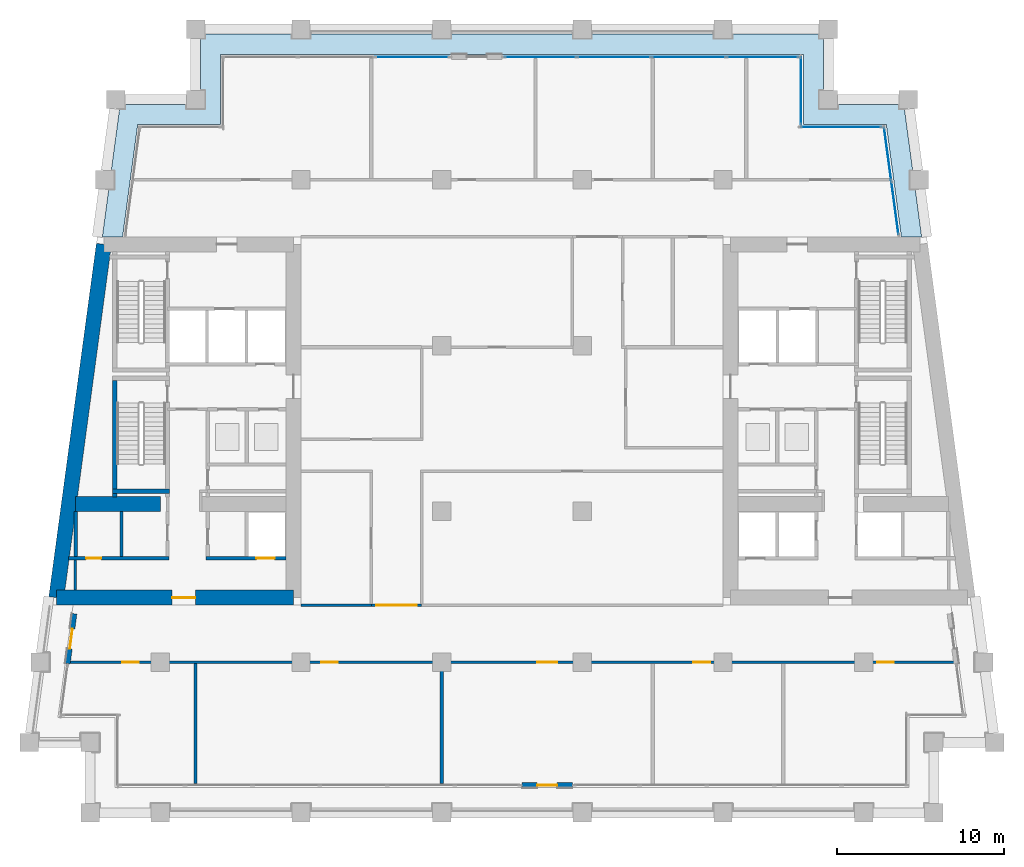
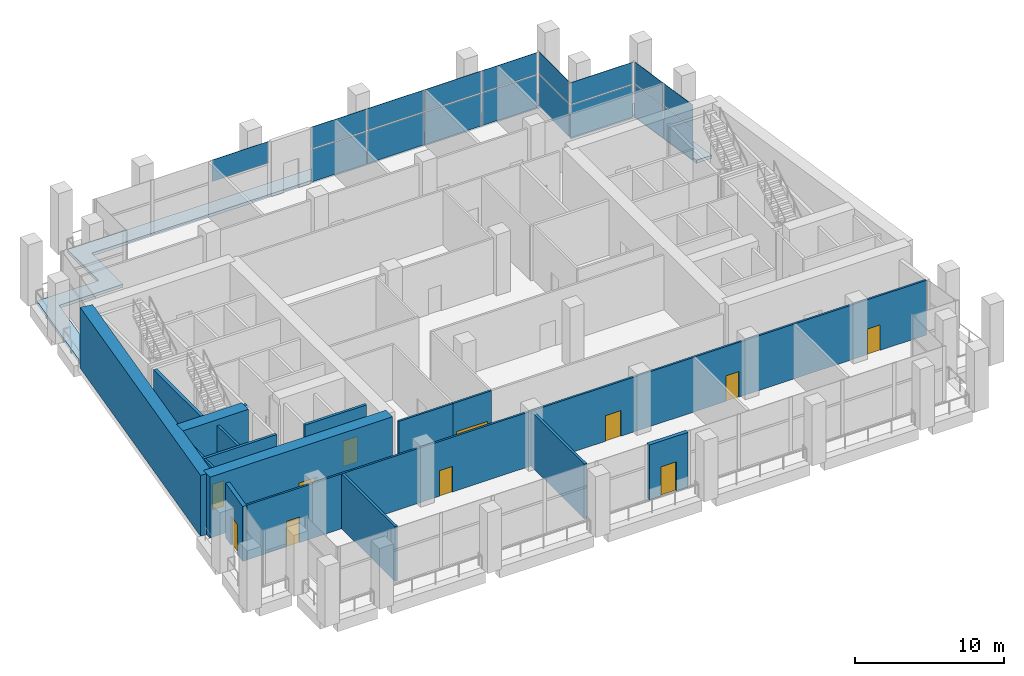
# One storey, part 7 of 16: 17 plates, 17 walls, 11 doors, 1 slab, 11 openings, 5 elements without a shape of their own.
"""IFC4 building model written with IfcOpenShell, lengths in metres."""

from ifc_helpers import new_model, si_unit, direction, frame, frame_2d, origin, origin_2d, place, context, subcontext, project, spatial, polyline, rectangle, outline, extrude, material, layer, layer_set, type_object, element, fill, aggregate, save


model = new_model("IFC4")

# Units and contexts
model_context = context("Model", 3, precision=1e-05, world=origin(), true_north=direction((0.0, 1.0)))
body_context = subcontext(model_context, "Body", "Model", "MODEL_VIEW")
ifc_project = project(units=[si_unit("LENGTHUNIT", "METRE"), si_unit("AREAUNIT", "SQUARE_METRE"), si_unit("VOLUMEUNIT", "CUBIC_METRE"), si_unit("PLANEANGLEUNIT", "RADIAN"), si_unit("MASSUNIT", "GRAM", prefix="KILO")], contexts=[model_context])

# Site, building, storey
site_placement = place(None, origin())
site = spatial("IfcSite", under=ifc_project, at=site_placement, CompositionType="ELEMENT")
building_placement = place(site_placement, origin())
building = spatial("IfcBuilding", under=site, at=building_placement, Name="Candeia Pilgrim Tower and Theatre", CompositionType="ELEMENT")
storey_placement = place(building_placement, frame((0.0, 0.0, 192.199951171875)))
storey = spatial("IfcBuildingStorey", under=building, at=storey_placement, Name="L46", CompositionType="ELEMENT", Elevation=192.199951171875)

# Curtain wall, plates
ifc_material_1 = material(Name="Aluminium framed sky lobby glazing", Category="aluminium")
curtain_wall_type = type_object("IfcCurtainWallType", Name="CW-S curtain wall", PredefinedType="NOTDEFINED", material=ifc_material_1)
curtain_wall_1_placement = place(storey_placement, origin())
curtain_wall_1 = element("IfcCurtainWall", 1, at=curtain_wall_1_placement, inside=storey, type_object=curtain_wall_type, Name="Curtain wall CW-S L46.310", PredefinedType="NOTDEFINED")
ifc_material_2 = material(Name="Laminated glass 2 x 6 mm", Category="glass")
ifc_layer_1 = layer(ifc_material_2, 0.031982421875)
ifc_layer_set_1 = layer_set([ifc_layer_1], Name="CW-S glass panel 32")
plate_type = type_object("IfcPlateType", Name="CW-S glass panel 32", PredefinedType="CURTAIN_PANEL", material=ifc_layer_set_1)
plate_1_placement = place(storey_placement, frame((136.271240234375, 134.1318359375, 0.0), z_axis=(0.0, 0.0, 1.0), x_axis=(-0.133412012145, 0.991060661622, 0.0)))
plate_1 = element("IfcPlate", 2, at=plate_1_placement, type_object=plate_type, Name="CW-S panel 1.1", PredefinedType="CURTAIN_PANEL", context=body_context, shape_type="SweptSolid", body=[
    extrude(rectangle(XDim=3.1650390625, YDim=0.031982421875, at=origin_2d()), origin(), (0.0, 0.0, 1.0), 2.659912109375),
])
plate_2_placement = place(storey_placement, frame((136.271240234375, 134.1318359375, 2.740234375), z_axis=(0.0, 0.0, 1.0), x_axis=(-0.133412012145, 0.991060661622, 0.0)))
plate_2 = element("IfcPlate", 3, at=plate_2_placement, type_object=plate_type, Name="CW-S panel 1.2", PredefinedType="CURTAIN_PANEL", context=body_context, shape_type="SweptSolid", body=[
    extrude(rectangle(XDim=3.1650390625, YDim=0.031982421875, at=origin_2d()), origin(), (0.0, 0.0, 1.0), 1.760009765625),
])
plate_3_placement = place(storey_placement, frame((135.83837890625, 137.34814453125, 0.0), z_axis=(0.0, 0.0, 1.0), x_axis=(-0.133412012145, 0.991060661622, 0.0)))
plate_3 = element("IfcPlate", 4, at=plate_3_placement, type_object=plate_type, Name="CW-S panel 2.1", PredefinedType="CURTAIN_PANEL", context=body_context, shape_type="SweptSolid", body=[
    extrude(rectangle(XDim=3.1650390625, YDim=0.031982421875, at=origin_2d()), origin(), (0.0, 0.0, 1.0), 2.659912109375),
])
plate_4_placement = place(storey_placement, frame((135.83837890625, 137.34814453125, 2.740234375), z_axis=(0.0, 0.0, 1.0), x_axis=(-0.133412012145, 0.991060661622, 0.0)))
plate_4 = element("IfcPlate", 5, at=plate_4_placement, type_object=plate_type, Name="CW-S panel 2.2", PredefinedType="CURTAIN_PANEL", context=body_context, shape_type="SweptSolid", body=[
    extrude(rectangle(XDim=3.1650390625, YDim=0.031982421875, at=origin_2d()), origin(), (0.0, 0.0, 1.0), 1.760009765625),
])
aggregate(curtain_wall_1, [plate_1, plate_2, plate_3, plate_4])

curtain_wall_2_placement = place(storey_placement, origin())
curtain_wall_2 = element("IfcCurtainWall", 6, at=curtain_wall_2_placement, inside=storey, type_object=curtain_wall_type, Name="Curtain wall CW-S L46.400", PredefinedType="NOTDEFINED")
plate_5_placement = place(storey_placement, frame((133.061279296875, 138.949951171875, 0.0), z_axis=(0.0, 0.0, 1.0), x_axis=(-1.0, 0.0, 0.0)))
plate_5 = element("IfcPlate", 7, at=plate_5_placement, type_object=plate_type, Name="CW-S panel 1.1", PredefinedType="CURTAIN_PANEL", context=body_context, shape_type="SweptSolid", body=[
    extrude(rectangle(XDim=4.792724609375, YDim=0.031982421875, at=origin_2d()), origin(), (0.0, 0.0, 1.0), 2.659912109375),
])
plate_6_placement = place(storey_placement, frame((133.061279296875, 138.949951171875, 2.740234375), z_axis=(0.0, 0.0, 1.0), x_axis=(-1.0, 0.0, 0.0)))
plate_6 = element("IfcPlate", 8, at=plate_6_placement, type_object=plate_type, Name="CW-S panel 1.2", PredefinedType="CURTAIN_PANEL", context=body_context, shape_type="SweptSolid", body=[
    extrude(rectangle(XDim=4.792724609375, YDim=0.031982421875, at=origin_2d()), origin(), (0.0, 0.0, 1.0), 1.760009765625),
])
aggregate(curtain_wall_2, [plate_5, plate_6])

curtain_wall_3_placement = place(storey_placement, origin())
curtain_wall_3 = element("IfcCurtainWall", 9, at=curtain_wall_3_placement, inside=storey, type_object=curtain_wall_type, Name="Curtain wall CW-S L46.500", PredefinedType="NOTDEFINED")
plate_7_placement = place(storey_placement, frame((130.64990234375, 141.125, 0.0), z_axis=(0.0, 0.0, 1.0), x_axis=(0.0, 1.0, 0.0)))
plate_7 = element("IfcPlate", 10, at=plate_7_placement, type_object=plate_type, Name="CW-S panel 1.1", PredefinedType="CURTAIN_PANEL", context=body_context, shape_type="SweptSolid", body=[
    extrude(rectangle(XDim=4.02001953125, YDim=0.031982421875, at=origin_2d()), origin(), (0.0, 0.0, 1.0), 2.659912109375),
])
plate_8_placement = place(storey_placement, frame((130.64990234375, 141.125, 2.740234375), z_axis=(0.0, 0.0, 1.0), x_axis=(0.0, 1.0, 0.0)))
plate_8 = element("IfcPlate", 11, at=plate_8_placement, type_object=plate_type, Name="CW-S panel 1.2", PredefinedType="CURTAIN_PANEL", context=body_context, shape_type="SweptSolid", body=[
    extrude(rectangle(XDim=4.02001953125, YDim=0.031982421875, at=origin_2d()), origin(), (0.0, 0.0, 1.0), 1.760009765625),
])
aggregate(curtain_wall_3, [plate_7, plate_8])

curtain_wall_4_placement = place(storey_placement, origin())
curtain_wall_4 = element("IfcCurtainWall", 12, at=curtain_wall_4_placement, inside=storey, type_object=curtain_wall_type, Name="Curtain wall CW-S L46.600", PredefinedType="NOTDEFINED")
plate_9_placement = place(storey_placement, frame((128.356201171875, 143.14990234375, 0.0), z_axis=(0.0, 0.0, 1.0), x_axis=(-1.0, 0.0, 0.0)))
plate_9 = element("IfcPlate", 13, at=plate_9_placement, type_object=plate_type, Name="CW-S panel 1.1", PredefinedType="CURTAIN_PANEL", context=body_context, shape_type="SweptSolid", body=[
    extrude(rectangle(XDim=4.257568359375, YDim=0.031982421875, at=origin_2d()), origin(), (0.0, 0.0, 1.0), 2.659912109375),
])
plate_10_placement = place(storey_placement, frame((128.356201171875, 143.14990234375, 2.740234375), z_axis=(0.0, 0.0, 1.0), x_axis=(-1.0, 0.0, 0.0)))
plate_10 = element("IfcPlate", 14, at=plate_10_placement, type_object=plate_type, Name="CW-S panel 1.2", PredefinedType="CURTAIN_PANEL", context=body_context, shape_type="SweptSolid", body=[
    extrude(rectangle(XDim=4.257568359375, YDim=0.031982421875, at=origin_2d()), origin(), (0.0, 0.0, 1.0), 1.760009765625),
])
plate_11_placement = place(storey_placement, frame((123.956298828125, 143.14990234375, 0.0), z_axis=(0.0, 0.0, 1.0), x_axis=(-1.0, 0.0, 0.0)))
plate_11 = element("IfcPlate", 15, at=plate_11_placement, type_object=plate_type, Name="CW-S panel 2.1", PredefinedType="CURTAIN_PANEL", context=body_context, shape_type="SweptSolid", body=[
    extrude(rectangle(XDim=4.382568359375, YDim=0.031982421875, at=origin_2d()), origin(), (0.0, 0.0, 1.0), 2.659912109375),
])
plate_12_placement = place(storey_placement, frame((123.956298828125, 143.14990234375, 2.740234375), z_axis=(0.0, 0.0, 1.0), x_axis=(-1.0, 0.0, 0.0)))
plate_12 = element("IfcPlate", 16, at=plate_12_placement, type_object=plate_type, Name="CW-S panel 2.2", PredefinedType="CURTAIN_PANEL", context=body_context, shape_type="SweptSolid", body=[
    extrude(rectangle(XDim=4.382568359375, YDim=0.031982421875, at=origin_2d()), origin(), (0.0, 0.0, 1.0), 1.760009765625),
])
plate_13_placement = place(storey_placement, frame((119.49365234375, 143.14990234375, 0.0), z_axis=(0.0, 0.0, 1.0), x_axis=(-1.0, 0.0, 0.0)))
plate_13 = element("IfcPlate", 17, at=plate_13_placement, type_object=plate_type, Name="CW-S panel 3.1", PredefinedType="CURTAIN_PANEL", context=body_context, shape_type="SweptSolid", body=[
    extrude(rectangle(XDim=4.382568359375, YDim=0.031982421875, at=origin_2d()), origin(), (0.0, 0.0, 1.0), 2.659912109375),
])
plate_14_placement = place(storey_placement, frame((119.49365234375, 143.14990234375, 2.740234375), z_axis=(0.0, 0.0, 1.0), x_axis=(-1.0, 0.0, 0.0)))
plate_14 = element("IfcPlate", 18, at=plate_14_placement, type_object=plate_type, Name="CW-S panel 3.2", PredefinedType="CURTAIN_PANEL", context=body_context, shape_type="SweptSolid", body=[
    extrude(rectangle(XDim=4.382568359375, YDim=0.031982421875, at=origin_2d()), origin(), (0.0, 0.0, 1.0), 1.760009765625),
])
plate_15_placement = place(storey_placement, frame((115.09375, 143.14990234375, 0.0), z_axis=(0.0, 0.0, 1.0), x_axis=(-1.0, 0.0, 0.0)))
plate_15 = element("IfcPlate", 19, at=plate_15_placement, type_object=plate_type, Name="CW-S panel 4.1", PredefinedType="CURTAIN_PANEL", context=body_context, shape_type="SweptSolid", body=[
    extrude(rectangle(XDim=4.257568359375, YDim=0.031982421875, at=origin_2d()), origin(), (0.0, 0.0, 1.0), 2.659912109375),
])
plate_16_placement = place(storey_placement, frame((115.09375, 143.14990234375, 2.740234375), z_axis=(0.0, 0.0, 1.0), x_axis=(-1.0, 0.0, 0.0)))
plate_16 = element("IfcPlate", 20, at=plate_16_placement, type_object=plate_type, Name="CW-S panel 4.2", PredefinedType="CURTAIN_PANEL", context=body_context, shape_type="SweptSolid", body=[
    extrude(rectangle(XDim=4.257568359375, YDim=0.031982421875, at=origin_2d()), origin(), (0.0, 0.0, 1.0), 1.760009765625),
])
aggregate(curtain_wall_4, [plate_9, plate_10, plate_11, plate_12, plate_13, plate_14, plate_15, plate_16])

# Curtain wall, plate
curtain_wall_5_placement = place(storey_placement, origin())
curtain_wall_5 = element("IfcCurtainWall", 21, at=curtain_wall_5_placement, inside=storey, type_object=curtain_wall_type, Name="Curtain wall CW-S L46.602", PredefinedType="NOTDEFINED")
plate_17_placement = place(storey_placement, frame((107.4375, 143.14990234375, 2.740234375), z_axis=(0.0, 0.0, 1.0), x_axis=(-1.0, 0.0, 0.0)))
plate_17 = element("IfcPlate", 22, at=plate_17_placement, type_object=plate_type, Name="CW-S panel 1.2", PredefinedType="CURTAIN_PANEL", context=body_context, shape_type="SweptSolid", body=[
    extrude(rectangle(XDim=4.39501953125, YDim=0.031982421875, at=origin_2d()), origin(), (0.0, 0.0, 1.0), 1.760009765625),
])
aggregate(curtain_wall_5, [plate_17])

# Slab
ifc_material_3 = material(Name="Concrete C40/50", Category="concrete")
ifc_layer_2 = layer(ifc_material_3, 0.25)
ifc_layer_set_2 = layer_set([ifc_layer_2], Name="Loggia slab 250 C40/50")
slab_type = type_object("IfcSlabType", Name="Loggia slab 250 C40/50", PredefinedType="FLOOR", material=ifc_layer_set_2)
slab_placement = place(storey_placement, frame((0.0, 0.0, -0.25)))
element("IfcSlab", 23, at=slab_placement, inside=storey, type_object=slab_type, Name="Loggia slab L46 2", PredefinedType="FLOOR", context=body_context, shape_type="SweptSolid", body=[
    extrude(outline(polyline([(136.65576171875, 132.39990234375), (135.753662109375, 139.10009765625), (130.800048828125, 139.10009765625), (130.800048828125, 143.300048828125), (96.0, 143.300048828125), (96.0, 139.10009765625), (91.046142578125, 139.10009765625), (90.144287109375, 132.39990234375), (88.93359375, 132.39990234375), (89.996826171875, 140.300048828125), (94.800048828125, 140.300048828125), (94.800048828125, 144.5), (132.0, 144.5), (132.0, 140.300048828125), (136.802978515625, 140.300048828125), (137.866455078125, 132.39990234375), (136.65576171875, 132.39990234375)])), origin(), (0.0, 0.0, 1.0), 0.25),
])

# Wall, opening, door
ifc_material_4 = material(Name="Concrete C60/75", Category="concrete")
ifc_layer_3 = layer(ifc_material_4, 0.89990234375)
ifc_layer_set_3 = layer_set([ifc_layer_3], Name="Core wall 900 C60/75")
wall_type_1 = type_object("IfcWallType", Name="Core wall 900 C60/75", PredefinedType="SHEAR", material=ifc_layer_set_3)
wall_1_placement = place(storey_placement, frame((100.35009765625, 110.85009765625, 0.0), z_axis=(0.0, 0.0, 1.0), x_axis=(-1.0, 0.0, 0.0)))
wall_1 = element("IfcWall", 24, at=wall_1_placement, inside=storey, type_object=wall_type_1, Name="Core wall W3", PredefinedType="SHEAR", context=body_context, shape_type="SweptSolid", body=[
    extrude(rectangle(XDim=14.166259765625, YDim=0.89990234375, at=frame_2d((7.0830078125, 0.0))), origin(), (0.0, 0.0, 1.0), 5.0),
])
opening_1_placement = place(wall_1_placement, frame((5.854736328125, 0.0, 0.0)))
opening_1 = element("IfcOpeningElement", 25, at=opening_1_placement, cuts=wall_1, Name="Opening L46-D032", PredefinedType="OPENING", context=body_context, shape_type="SweptSolid", body=[
    extrude(rectangle(XDim=1.39990234375, YDim=2.10009765625, at=frame_2d((0.699951171875, 1.050048828125))), frame((0.0, 0.4599609375, 0.0), z_axis=(0.0, -1.0, 0.0), x_axis=(1.0, 0.0, 0.0)), (0.0, 0.0, 1.0), 0.919921875),
])
ifc_material_5 = material(Name="Steel fire door set", Category="steel")
door_type_1 = type_object("IfcDoorType", Name="D-1400-FD60", OperationType="NOTDEFINED", PredefinedType="DOOR", material=ifc_material_5)
door_1_placement = place(opening_1_placement, origin())
door_1 = element("IfcDoor", 26, at=door_1_placement, inside=storey, type_object=door_type_1, Name="Door L46-D032", OperationType="SINGLE_SWING_RIGHT", OverallHeight=2.10009765625, OverallWidth=1.39990234375, PredefinedType="DOOR", context=body_context, shape_type="SweptSolid", body=[
    extrude(rectangle(XDim=1.39990234375, YDim=2.10009765625, at=frame_2d((0.699951171875, 1.050048828125))), frame((0.0, 0.02490234375, 0.0), z_axis=(0.0, -1.0, 0.0), x_axis=(1.0, 0.0, 0.0)), (0.0, 0.0, 1.0), 0.050048828125),
])
fill(opening_1, door_1)

# Walls
wall_2_placement = place(storey_placement, frame((86.183837890625, 110.85009765625, 0.0), z_axis=(0.0, 0.0, 1.0), x_axis=(0.133410495943, 0.991060865725, 0.0)))
element("IfcWall", 27, at=wall_2_placement, inside=storey, type_object=wall_type_1, Name="Core wall W4", PredefinedType="SHEAR", context=body_context, shape_type="SweptSolid", body=[
    extrude(rectangle(XDim=21.290283203125, YDim=0.89990234375, at=frame_2d((10.64501953125, 0.0))), origin(), (0.0, 0.0, 1.0), 5.0),
])
wall_3_placement = place(storey_placement, frame((87.322998046875, 116.449951171875, 0.0), z_axis=(0.0, 0.0, 1.0), x_axis=(1.0, 0.0, 0.0)))
element("IfcWall", 28, at=wall_3_placement, inside=storey, type_object=wall_type_1, Name="Core wall W5", PredefinedType="SHEAR", context=body_context, shape_type="SweptSolid", body=[
    extrude(rectangle(XDim=5.076904296875, YDim=0.89990234375, at=frame_2d((2.53857421875, 0.0))), origin(), (0.0, 0.0, 1.0), 5.0),
])

# Wall, opening, door
ifc_material_6 = material(Name="Ceramic block masonry", Category="masonry")
ifc_layer_4 = layer(ifc_material_6, 0.300048828125)
ifc_layer_set_4 = layer_set([ifc_layer_4], Name="EW2 entrance infill wall 300")
wall_type_2 = type_object("IfcWallType", Name="EW2 entrance infill wall 300", PredefinedType="SOLIDWALL", material=ifc_layer_set_4)
wall_4_placement = place(storey_placement, frame((114.0, 99.64990234375, 0.0), z_axis=(0.0, 0.0, 1.0), x_axis=(1.0, 0.0, 0.0)))
wall_4 = element("IfcWall", 29, at=wall_4_placement, inside=storey, type_object=wall_type_2, Name="Infill wall L46", PredefinedType="SOLIDWALL", context=body_context, shape_type="SweptSolid", body=[
    extrude(rectangle(XDim=3.0, YDim=0.300048828125, at=frame_2d((1.5, 0.0))), origin(), (0.0, 0.0, 1.0), 4.5),
])
opening_2_placement = place(wall_4_placement, frame((0.89990234375, 0.0, 0.0)))
opening_2 = element("IfcOpeningElement", 30, at=opening_2_placement, cuts=wall_4, Name="Opening L46-ED440", PredefinedType="OPENING", context=body_context, shape_type="SweptSolid", body=[
    extrude(rectangle(XDim=1.199951171875, YDim=2.39990234375, at=frame_2d((0.60009765625, 1.199951171875))), frame((0.0, 0.16015625, 0.0), z_axis=(0.0, -1.0, 0.0), x_axis=(1.0, 0.0, 0.0)), (0.0, 0.0, 1.0), 0.320068359375),
])
ifc_material_7 = material(Name="Aluminium framed glazed door", Category="aluminium")
door_type_2 = type_object("IfcDoorType", Name="Loggia door 1200x2400", OperationType="DOUBLE_DOOR_SINGLE_SWING", PredefinedType="DOOR", material=ifc_material_7)
door_2_placement = place(opening_2_placement, origin())
door_2 = element("IfcDoor", 31, at=door_2_placement, inside=storey, type_object=door_type_2, Name="Loggia door L46-ED440", OperationType="DOUBLE_DOOR_SINGLE_SWING", OverallHeight=2.39990234375, OverallWidth=1.199951171875, PredefinedType="DOOR", context=body_context, shape_type="SweptSolid", body=[
    extrude(rectangle(XDim=1.199951171875, YDim=2.39990234375, at=frame_2d((0.60009765625, 1.199951171875))), frame((0.0, 0.02490234375, 0.0), z_axis=(0.0, -1.0, 0.0), x_axis=(1.0, 0.0, 0.0)), (0.0, 0.0, 1.0), 0.050048828125),
])
fill(opening_2, door_2)

wall_5_placement = place(storey_placement, frame((87.264892578125, 109.886474609375, 0.0), z_axis=(0.0, 0.0, 1.0), x_axis=(-0.133384342957, -0.991064385927, 0.0)))
wall_5 = element("IfcWall", 32, at=wall_5_placement, inside=storey, type_object=wall_type_2, Name="Infill wall L46", PredefinedType="SOLIDWALL", context=body_context, shape_type="SweptSolid", body=[
    extrude(rectangle(XDim=3.0, YDim=0.300048828125, at=frame_2d((1.5, 0.0))), origin(), (0.0, 0.0, 1.0), 4.5),
])
opening_3_placement = place(wall_5_placement, frame((0.89990234375, 0.0, 0.0)))
opening_3 = element("IfcOpeningElement", 33, at=opening_3_placement, cuts=wall_5, Name="Opening L46-ED443", PredefinedType="OPENING", context=body_context, shape_type="SweptSolid", body=[
    extrude(rectangle(XDim=1.199951171875, YDim=2.39990234375, at=frame_2d((0.60009765625, 1.199951171875))), frame((0.0, 0.16015625, 0.0), z_axis=(0.0, -1.0, 0.0), x_axis=(1.0, 0.0, 0.0)), (0.0, 0.0, 1.0), 0.320068359375),
])
door_3_placement = place(opening_3_placement, origin())
door_3 = element("IfcDoor", 34, at=door_3_placement, inside=storey, type_object=door_type_2, Name="Loggia door L46-ED443", OperationType="DOUBLE_DOOR_SINGLE_SWING", OverallHeight=2.39990234375, OverallWidth=1.199951171875, PredefinedType="DOOR", context=body_context, shape_type="SweptSolid", body=[
    extrude(rectangle(XDim=1.199951171875, YDim=2.39990234375, at=frame_2d((0.60009765625, 1.199951171875))), frame((0.0, 0.02490234375, 0.0), z_axis=(0.0, -1.0, 0.0), x_axis=(1.0, 0.0, 0.0)), (0.0, 0.0, 1.0), 0.050048828125),
])
fill(opening_3, door_3)

ifc_material_8 = material(Name="Gypsum board partition on steel studs", Category="steel")
ifc_layer_5 = layer(ifc_material_8, 0.14990234375)
ifc_layer_set_5 = layer_set([ifc_layer_5], Name="PW-150 lobby wall")
wall_type_3 = type_object("IfcWallType", Name="PW-150 lobby wall", PredefinedType="PARTITIONING", material=ifc_layer_set_5)
wall_6_placement = place(storey_placement, frame((105.0, 110.39990234375, 0.0), z_axis=(0.0, 0.0, 1.0), x_axis=(1.0, 0.0, 0.0)))
wall_6 = element("IfcWall", 35, at=wall_6_placement, inside=storey, type_object=wall_type_3, Name="Lobby wall L46-002", PredefinedType="PARTITIONING", context=body_context, shape_type="SweptSolid", body=[
    extrude(rectangle(XDim=3.0, YDim=0.14990234375, at=frame_2d((1.5, 0.0))), origin(), (0.0, 0.0, 1.0), 4.5),
])
opening_4_placement = place(wall_6_placement, frame((0.300048828125, 0.0, 0.0)))
opening_4 = element("IfcOpeningElement", 36, at=opening_4_placement, cuts=wall_6, Name="Opening L46-D003", PredefinedType="OPENING", context=body_context, shape_type="SweptSolid", body=[
    extrude(rectangle(XDim=2.39990234375, YDim=2.10009765625, at=frame_2d((1.199951171875, 1.050048828125))), frame((0.0, 0.0849609375, 0.0), z_axis=(0.0, -1.0, 0.0), x_axis=(1.0, 0.0, 0.0)), (0.0, 0.0, 1.0), 0.169921875),
])
door_type_3 = type_object("IfcDoorType", Name="D-2400-FD30S", OperationType="NOTDEFINED", PredefinedType="DOOR", material=ifc_material_5)
door_4_placement = place(opening_4_placement, origin())
door_4 = element("IfcDoor", 37, at=door_4_placement, inside=storey, type_object=door_type_3, Name="Door L46-D003", OperationType="SINGLE_SWING_LEFT", OverallHeight=2.10009765625, OverallWidth=2.39990234375, PredefinedType="DOOR", context=body_context, shape_type="SweptSolid", body=[
    extrude(rectangle(XDim=2.39990234375, YDim=2.10009765625, at=frame_2d((1.199951171875, 1.050048828125))), frame((0.0, 0.02490234375, 0.0), z_axis=(0.0, -1.0, 0.0), x_axis=(1.0, 0.0, 0.0)), (0.0, 0.0, 1.0), 0.050048828125),
])
fill(opening_4, door_4)

# Wall
wall_7_placement = place(storey_placement, frame((87.327880859375, 111.300048828125, 0.0), z_axis=(0.0, 0.0, 1.0), x_axis=(0.0, 1.0, 0.0)))
element("IfcWall", 38, at=wall_7_placement, inside=storey, type_object=wall_type_3, Name="Lobby wall L46-046", PredefinedType="PARTITIONING", context=body_context, shape_type="SweptSolid", body=[
    extrude(rectangle(XDim=1.800048828125, YDim=0.14990234375, at=frame_2d((0.89990234375, 0.0))), origin(), (0.0, 0.0, 1.0), 4.5),
])

# Wall, openings, doors
ifc_layer_6 = layer(ifc_material_8, 0.14990234375)
ifc_layer_set_6 = layer_set([ifc_layer_6], Name="PW-150 unit wall")
wall_type_4 = type_object("IfcWallType", Name="PW-150 unit wall", PredefinedType="PARTITIONING", material=ifc_layer_set_6)
wall_8_placement = place(storey_placement, frame((86.9873046875, 107.0, 0.0), z_axis=(0.0, 0.0, 1.0), x_axis=(1.0, 0.0, 0.0)))
wall_8 = element("IfcWall", 39, at=wall_8_placement, inside=storey, type_object=wall_type_4, Name="Unit wall L46-001", PredefinedType="PARTITIONING", context=body_context, shape_type="SweptSolid", body=[
    extrude(rectangle(XDim=52.8251953125, YDim=0.14990234375, at=frame_2d((26.41259765625, 0.0))), origin(), (0.0, 0.0, 1.0), 4.5),
])
opening_5_placement = place(wall_8_placement, frame((3.12548828125, 0.0, 0.0)))
opening_5 = element("IfcOpeningElement", 40, at=opening_5_placement, cuts=wall_8, Name="Opening L46-D010", PredefinedType="OPENING", context=body_context, shape_type="SweptSolid", body=[
    extrude(rectangle(XDim=1.0, YDim=2.10009765625, at=frame_2d((0.5, 1.050048828125))), frame((0.0, 0.0849609375, 0.0), z_axis=(0.0, -1.0, 0.0), x_axis=(1.0, 0.0, 0.0)), (0.0, 0.0, 1.0), 0.169921875),
])
opening_6_placement = place(wall_8_placement, frame((15.0126953125, 0.0, 0.0)))
opening_6 = element("IfcOpeningElement", 41, at=opening_6_placement, cuts=wall_8, Name="Opening L46-D011", PredefinedType="OPENING", context=body_context, shape_type="SweptSolid", body=[
    extrude(rectangle(XDim=1.0, YDim=2.10009765625, at=frame_2d((0.5, 1.050048828125))), frame((0.0, 0.0849609375, 0.0), z_axis=(0.0, -1.0, 0.0), x_axis=(1.0, 0.0, 0.0)), (0.0, 0.0, 1.0), 0.169921875),
])
opening_7_placement = place(wall_8_placement, frame((27.91259765625, 0.0, 0.0)))
opening_7 = element("IfcOpeningElement", 42, at=opening_7_placement, cuts=wall_8, Name="Opening L46-D012", PredefinedType="OPENING", context=body_context, shape_type="SweptSolid", body=[
    extrude(rectangle(XDim=1.199951171875, YDim=2.10009765625, at=frame_2d((0.60009765625, 1.050048828125))), frame((0.0, 0.0849609375, 0.0), z_axis=(0.0, -1.0, 0.0), x_axis=(1.0, 0.0, 0.0)), (0.0, 0.0, 1.0), 0.169921875),
])
opening_8_placement = place(wall_8_placement, frame((37.24755859375, 0.0, 0.0)))
opening_8 = element("IfcOpeningElement", 43, at=opening_8_placement, cuts=wall_8, Name="Opening L46-D013", PredefinedType="OPENING", context=body_context, shape_type="SweptSolid", body=[
    extrude(rectangle(XDim=1.0, YDim=2.10009765625, at=frame_2d((0.5, 1.050048828125))), frame((0.0, 0.0849609375, 0.0), z_axis=(0.0, -1.0, 0.0), x_axis=(1.0, 0.0, 0.0)), (0.0, 0.0, 1.0), 0.169921875),
])
opening_9_placement = place(wall_8_placement, frame((48.2275390625, 0.0, 0.0)))
opening_9 = element("IfcOpeningElement", 44, at=opening_9_placement, cuts=wall_8, Name="Opening L46-D014", PredefinedType="OPENING", context=body_context, shape_type="SweptSolid", body=[
    extrude(rectangle(XDim=1.0, YDim=2.10009765625, at=frame_2d((0.5, 1.050048828125))), frame((0.0, 0.0849609375, 0.0), z_axis=(0.0, -1.0, 0.0), x_axis=(1.0, 0.0, 0.0)), (0.0, 0.0, 1.0), 0.169921875),
])
door_type_4 = type_object("IfcDoorType", Name="D-1000-FD30S", OperationType="NOTDEFINED", PredefinedType="DOOR", material=ifc_material_5)
door_5_placement = place(opening_5_placement, origin())
door_5 = element("IfcDoor", 45, at=door_5_placement, inside=storey, type_object=door_type_4, Name="Door L46-D010", OperationType="SINGLE_SWING_RIGHT", OverallHeight=2.10009765625, OverallWidth=1.0, PredefinedType="DOOR", context=body_context, shape_type="SweptSolid", body=[
    extrude(rectangle(XDim=1.0, YDim=2.10009765625, at=frame_2d((0.5, 1.050048828125))), frame((0.0, 0.02490234375, 0.0), z_axis=(0.0, -1.0, 0.0), x_axis=(1.0, 0.0, 0.0)), (0.0, 0.0, 1.0), 0.050048828125),
])
fill(opening_5, door_5)
door_6_placement = place(opening_6_placement, origin())
door_6 = element("IfcDoor", 46, at=door_6_placement, inside=storey, type_object=door_type_4, Name="Door L46-D011", OperationType="SINGLE_SWING_LEFT", OverallHeight=2.10009765625, OverallWidth=1.0, PredefinedType="DOOR", context=body_context, shape_type="SweptSolid", body=[
    extrude(rectangle(XDim=1.0, YDim=2.10009765625, at=frame_2d((0.5, 1.050048828125))), frame((0.0, 0.02490234375, 0.0), z_axis=(0.0, -1.0, 0.0), x_axis=(1.0, 0.0, 0.0)), (0.0, 0.0, 1.0), 0.050048828125),
])
fill(opening_6, door_6)
door_7_placement = place(opening_8_placement, origin())
door_7 = element("IfcDoor", 47, at=door_7_placement, inside=storey, type_object=door_type_4, Name="Door L46-D013", OperationType="SINGLE_SWING_LEFT", OverallHeight=2.10009765625, OverallWidth=1.0, PredefinedType="DOOR", context=body_context, shape_type="SweptSolid", body=[
    extrude(rectangle(XDim=1.0, YDim=2.10009765625, at=frame_2d((0.5, 1.050048828125))), frame((0.0, 0.02490234375, 0.0), z_axis=(0.0, -1.0, 0.0), x_axis=(1.0, 0.0, 0.0)), (0.0, 0.0, 1.0), 0.050048828125),
])
fill(opening_8, door_7)
door_8_placement = place(opening_9_placement, origin())
door_8 = element("IfcDoor", 48, at=door_8_placement, inside=storey, type_object=door_type_4, Name="Door L46-D014", OperationType="SINGLE_SWING_RIGHT", OverallHeight=2.10009765625, OverallWidth=1.0, PredefinedType="DOOR", context=body_context, shape_type="SweptSolid", body=[
    extrude(rectangle(XDim=1.0, YDim=2.10009765625, at=frame_2d((0.5, 1.050048828125))), frame((0.0, 0.02490234375, 0.0), z_axis=(0.0, -1.0, 0.0), x_axis=(1.0, 0.0, 0.0)), (0.0, 0.0, 1.0), 0.050048828125),
])
fill(opening_9, door_8)
door_type_5 = type_object("IfcDoorType", Name="D-1200-FD30S", OperationType="NOTDEFINED", PredefinedType="DOOR", material=ifc_material_5)
door_9_placement = place(opening_7_placement, origin())
door_9 = element("IfcDoor", 49, at=door_9_placement, inside=storey, type_object=door_type_5, Name="Door L46-D012", OperationType="SINGLE_SWING_RIGHT", OverallHeight=2.10009765625, OverallWidth=1.199951171875, PredefinedType="DOOR", context=body_context, shape_type="SweptSolid", body=[
    extrude(rectangle(XDim=1.199951171875, YDim=2.10009765625, at=frame_2d((0.60009765625, 1.050048828125))), frame((0.0, 0.02490234375, 0.0), z_axis=(0.0, -1.0, 0.0), x_axis=(1.0, 0.0, 0.0)), (0.0, 0.0, 1.0), 0.050048828125),
])
fill(opening_7, door_9)

# Walls
wall_9_placement = place(storey_placement, frame((100.800048828125, 110.39990234375, 0.0), z_axis=(0.0, 0.0, 1.0), x_axis=(1.0, 0.0, 0.0)))
element("IfcWall", 50, at=wall_9_placement, inside=storey, type_object=wall_type_4, Name="Unit wall L46-003", PredefinedType="PARTITIONING", context=body_context, shape_type="SweptSolid", body=[
    extrude(rectangle(XDim=4.199951171875, YDim=0.14990234375, at=frame_2d((2.10009765625, 0.0))), origin(), (0.0, 0.0, 1.0), 4.5),
])
ifc_layer_7 = layer(ifc_material_8, 0.199951171875)
ifc_layer_set_7 = layer_set([ifc_layer_7], Name="PW-200 party wall")
wall_type_5 = type_object("IfcWallType", Name="PW-200 party wall", PredefinedType="PARTITIONING", material=ifc_layer_set_7)
for number, where, z_axis, x_axis, name in (
    (51, (94.5, 99.760009765625, 0.0), (0.0, 0.0, 1.0), (0.0, 1.0, 0.0), "Party wall L46-055"),
    (52, (109.199951171875, 99.760009765625, 0.0), (0.0, 0.0, 1.0), (0.0, 1.0, 0.0), "Party wall L46-067"),
):
    element("IfcWall", number, at=place(storey_placement, frame(where, z_axis=z_axis, x_axis=x_axis)), inside=storey, type_object=wall_type_5, Name=name, PredefinedType="PARTITIONING", context=body_context, shape_type="SweptSolid", body=[
        extrude(rectangle(XDim=7.1650390625, YDim=0.199951171875, at=frame_2d((3.58251953125, 0.0))), origin(), (0.0, 0.0, 1.0), 4.5),
    ])

# Wall, opening, door
ifc_layer_8 = layer(ifc_material_3, 0.199951171875)
ifc_layer_set_8 = layer_set([ifc_layer_8], Name="SW-200 shaft wall")
wall_type_6 = type_object("IfcWallType", Name="SW-200 shaft wall", PredefinedType="PARTITIONING", material=ifc_layer_set_8)
wall_10_placement = place(storey_placement, frame((86.92431640625, 113.199951171875, 0.0), z_axis=(0.0, 0.0, 1.0), x_axis=(1.0, 0.0, 0.0)))
wall_10 = element("IfcWall", 53, at=wall_10_placement, inside=storey, type_object=wall_type_6, Name="Shaft wall L46-005", PredefinedType="PARTITIONING", context=body_context, shape_type="SweptSolid", body=[
    extrude(rectangle(XDim=6.002685546875, YDim=0.199951171875, at=frame_2d((3.00146484375, 0.0))), origin(), (0.0, 0.0, 1.0), 4.5),
])
opening_10_placement = place(wall_10_placement, frame((1.040771484375, 0.0, 0.0)))
opening_10 = element("IfcOpeningElement", 54, at=opening_10_placement, cuts=wall_10, Name="Opening L46-D024", PredefinedType="OPENING", context=body_context, shape_type="SweptSolid", body=[
    extrude(rectangle(XDim=0.89990234375, YDim=2.10009765625, at=frame_2d((0.449951171875, 1.050048828125))), frame((0.0, 0.10986328125, 0.0), z_axis=(0.0, -1.0, 0.0), x_axis=(1.0, 0.0, 0.0)), (0.0, 0.0, 1.0), 0.219970703125),
])
door_type_6 = type_object("IfcDoorType", Name="D-900-FD60", OperationType="NOTDEFINED", PredefinedType="DOOR", material=ifc_material_5)
door_10_placement = place(opening_10_placement, origin())
door_10 = element("IfcDoor", 55, at=door_10_placement, inside=storey, type_object=door_type_6, Name="Door L46-D024", OperationType="SINGLE_SWING_LEFT", OverallHeight=2.10009765625, OverallWidth=0.89990234375, PredefinedType="DOOR", context=body_context, shape_type="SweptSolid", body=[
    extrude(rectangle(XDim=0.89990234375, YDim=2.10009765625, at=frame_2d((0.449951171875, 1.050048828125))), frame((0.0, 0.02490234375, 0.0), z_axis=(0.0, -1.0, 0.0), x_axis=(1.0, 0.0, 0.0)), (0.0, 0.0, 1.0), 0.050048828125),
])
fill(opening_10, door_10)

wall_11_placement = place(storey_placement, frame((95.126953125, 113.199951171875, 0.0), z_axis=(0.0, 0.0, 1.0), x_axis=(1.0, 0.0, 0.0)))
wall_11 = element("IfcWall", 56, at=wall_11_placement, inside=storey, type_object=wall_type_6, Name="Shaft wall L46-006", PredefinedType="PARTITIONING", context=body_context, shape_type="SweptSolid", body=[
    extrude(rectangle(XDim=4.77294921875, YDim=0.199951171875, at=frame_2d((2.386474609375, 0.0))), origin(), (0.0, 0.0, 1.0), 4.5),
])
opening_11_placement = place(wall_11_placement, frame((3.0009765625, 0.0, 0.0)))
opening_11 = element("IfcOpeningElement", 57, at=opening_11_placement, cuts=wall_11, Name="Opening L46-LD05", PredefinedType="OPENING", context=body_context, shape_type="SweptSolid", body=[
    extrude(rectangle(XDim=1.10009765625, YDim=2.10009765625, at=frame_2d((0.550048828125, 1.050048828125))), frame((0.0, 0.10986328125, 0.0), z_axis=(0.0, -1.0, 0.0), x_axis=(1.0, 0.0, 0.0)), (0.0, 0.0, 1.0), 0.219970703125),
])
ifc_material_9 = material(Name="Glazed aluminium landing door", Category="aluminium")
door_type_7 = type_object("IfcDoorType", Name="LD-1100-EI120", OperationType="SLIDING_TO_LEFT", PredefinedType="DOOR", material=ifc_material_9)
door_11_placement = place(opening_11_placement, origin())
door_11 = element("IfcDoor", 58, at=door_11_placement, inside=storey, type_object=door_type_7, Name="Landing door 05 L46", OperationType="SLIDING_TO_LEFT", OverallHeight=2.10009765625, OverallWidth=1.10009765625, PredefinedType="DOOR", context=body_context, shape_type="SweptSolid", body=[
    extrude(rectangle(XDim=1.10009765625, YDim=2.10009765625, at=frame_2d((0.550048828125, 1.050048828125))), frame((0.0, 0.02490234375, 0.0), z_axis=(0.0, -1.0, 0.0), x_axis=(1.0, 0.0, 0.0)), (0.0, 0.0, 1.0), 0.050048828125),
])
fill(opening_11, door_11)

# Walls
for number, where, z_axis, x_axis, name in (
    (59, (87.350341796875, 113.300048828125, 0.0), (0.0, 0.0, 1.0), (0.0, 1.0, 0.0), "Shaft wall L46-045"),
    (60, (90.077392578125, 113.300048828125, 0.0), (0.0, 0.0, 1.0), (0.0, 1.0, 0.0), "Shaft wall L46-049"),
):
    element("IfcWall", number, at=place(storey_placement, frame(where, z_axis=z_axis, x_axis=x_axis)), inside=storey, type_object=wall_type_6, Name=name, PredefinedType="PARTITIONING", context=body_context, shape_type="SweptSolid", body=[
        extrude(rectangle(XDim=2.699951171875, YDim=0.199951171875, at=frame_2d((1.35009765625, 0.0))), origin(), (0.0, 0.0, 1.0), 4.5),
    ])
ifc_layer_9 = layer(ifc_material_3, 0.25)
ifc_layer_set_9 = layer_set([ifc_layer_9], Name="SW-250 stair wall")
wall_type_7 = type_object("IfcWallType", Name="SW-250 stair wall", PredefinedType="PARTITIONING", material=ifc_layer_set_9)
wall_12_placement = place(storey_placement, frame((89.552001953125, 117.199951171875, 0.0), z_axis=(0.0, 0.0, 1.0), x_axis=(1.0, 0.0, 0.0)))
element("IfcWall", 61, at=wall_12_placement, inside=storey, type_object=wall_type_7, Name="Stair wall L46-013", PredefinedType="PARTITIONING", context=body_context, shape_type="SweptSolid", body=[
    extrude(rectangle(XDim=3.39990234375, YDim=0.25, at=frame_2d((1.699951171875, 0.0))), origin(), (0.0, 0.0, 1.0), 4.5),
])
wall_13_placement = place(storey_placement, frame((89.677001953125, 116.8701171875, 0.0), z_axis=(0.0, 0.0, 1.0), x_axis=(0.0, 1.0, 0.0)))
element("IfcWall", 62, at=wall_13_placement, inside=storey, type_object=wall_type_7, Name="Stair wall L46-047", PredefinedType="PARTITIONING", context=body_context, shape_type="SweptSolid", body=[
    extrude(rectangle(XDim=6.954833984375, YDim=0.25, at=frame_2d((3.4775390625, 0.0))), origin(), (0.0, 0.0, 1.0), 4.5),
])

save(model, "model.ifc")
